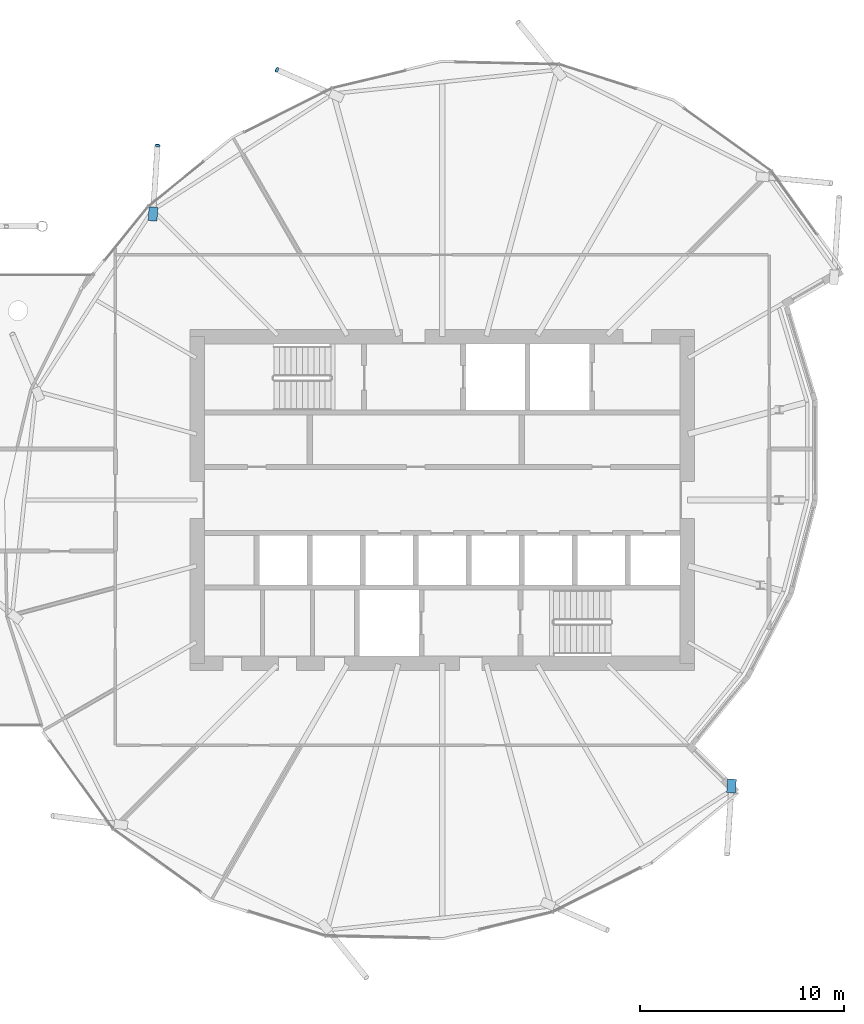
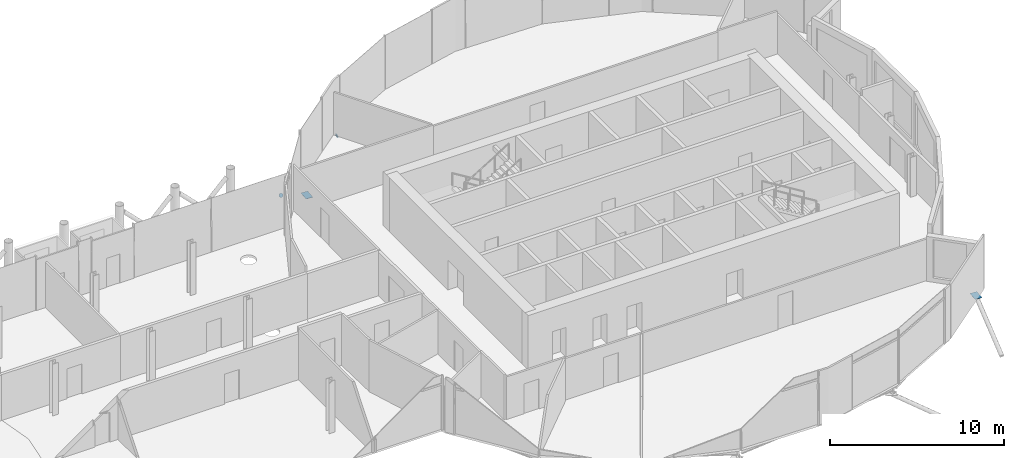
# One storey, part 34 of 39: 4 discrete accessories.
"""IFC4 building model written with IfcOpenShell, lengths in metres."""

from ifc_helpers import new_model, si_unit, direction, frame, origin, origin_2d, place, context, subcontext, project, spatial, polyline, rectangle, circle, outline, extrude, material, material_profile, profile_set, type_object, element, save


model = new_model("IFC4")

# Units and contexts
model_context = context("Model", 3, precision=1e-05, world=origin(), true_north=direction((0.0, 1.0)))
body_context = subcontext(model_context, "Body", "Model", "MODEL_VIEW")
ifc_project = project(units=[si_unit("LENGTHUNIT", "METRE"), si_unit("AREAUNIT", "SQUARE_METRE"), si_unit("VOLUMEUNIT", "CUBIC_METRE"), si_unit("PLANEANGLEUNIT", "RADIAN"), si_unit("MASSUNIT", "GRAM", prefix="KILO")], contexts=[model_context])

# Site, building, storey
site_placement = place(None, origin())
site = spatial("IfcSite", under=ifc_project, at=site_placement, CompositionType="ELEMENT")
building_placement = place(site_placement, origin())
building = spatial("IfcBuilding", under=site, at=building_placement, Name="Rimbun Link Towers", CompositionType="ELEMENT")
storey_placement = place(building_placement, frame((0.0, 0.0, 139.199951171875)))
storey = spatial("IfcBuildingStorey", under=building, at=storey_placement, Name="L33", CompositionType="ELEMENT", Elevation=139.199951171875)

# Discrete accessories
ifc_material_1 = material(Name="Steel S355J2H", Category="steel")
ifc_material_profile_1 = material_profile(ifc_material_1, circle(Radius=0.1240234375, at=origin_2d()), Name="PL D248")
ifc_profile_set_1 = profile_set([ifc_material_profile_1], Name="Steel S355J2H")
discrete_accessory_type_1 = type_object("IfcDiscreteAccessoryType", Name="Link foot sealing plate D248X20", PredefinedType="BRACKET", material=ifc_profile_set_1)
for number, where, z_axis, x_axis, name in (
    (1, (23.662353515625, 21.060791015625, -2.879638671875), (-0.7801977793, 0.341336528444, -0.524195382968), (-0.40081883402, -0.916157334902, 0.0), "Link foot sealing plate T2 L33 04"),
    (2, (17.80859375, 17.34521484375, -2.76416015625), (0.048820437584, 0.842152548321, -0.537024813422), (-0.998323904123, 0.057873849514, 0.0), "Link foot sealing plate T2 L33 06"),
):
    element("IfcDiscreteAccessory", number, at=place(storey_placement, frame(where, z_axis=z_axis, x_axis=x_axis)), inside=storey, type_object=discrete_accessory_type_1, Name=name, PredefinedType="BRACKET", context=body_context, shape_type="SweptSolid", body=[
        extrude(circle(Radius=0.1240234375, at=origin_2d()), origin(), (0.0, 0.0, 1.0), 0.02001953125),
    ])
ifc_material_2 = material(Name="Steel S355J2H", Category="steel")
ifc_material_profile_2 = material_profile(ifc_material_2, rectangle(XDim=0.43310546875, YDim=0.43310546875, at=origin_2d()), Name="PL 433x433")
ifc_profile_set_2 = profile_set([ifc_material_profile_2], Name="Steel S355J2H")
discrete_accessory_type_2 = type_object("IfcDiscreteAccessoryType", Name="Link head end plate 433X20", PredefinedType="BRACKET", material=ifc_profile_set_2)
discrete_accessory_1_placement = place(storey_placement, frame((0.0, 0.0, -0.6533203125)))
element("IfcDiscreteAccessory", 3, at=discrete_accessory_1_placement, inside=storey, type_object=discrete_accessory_type_2, Name="Link head end plate T2 L33 06", PredefinedType="BRACKET", context=body_context, shape_type="SweptSolid", body=[
    extrude(outline(polyline([(17.78173828125, 13.650634765625), (17.825927734375, 14.321533203125), (17.393798828125, 14.35009765625), (17.349609375, 13.67919921875), (17.78173828125, 13.650634765625)])), origin(), (0.0, 0.0, 1.0), 0.02001953125),
])
discrete_accessory_2_placement = place(storey_placement, frame((0.0, 0.0, -0.6533203125)))
element("IfcDiscreteAccessory", 4, at=discrete_accessory_2_placement, inside=storey, type_object=discrete_accessory_type_2, Name="Link head end plate T2 L33 18", PredefinedType="BRACKET", context=body_context, shape_type="SweptSolid", body=[
    extrude(outline(polyline([(45.71826171875, -13.650634765625), (45.674072265625, -14.321533203125), (46.106201171875, -14.35009765625), (46.150390625, -13.67919921875), (45.71826171875, -13.650634765625)])), origin(), (0.0, 0.0, 1.0), 0.02001953125),
])

save(model, "model.ifc")
